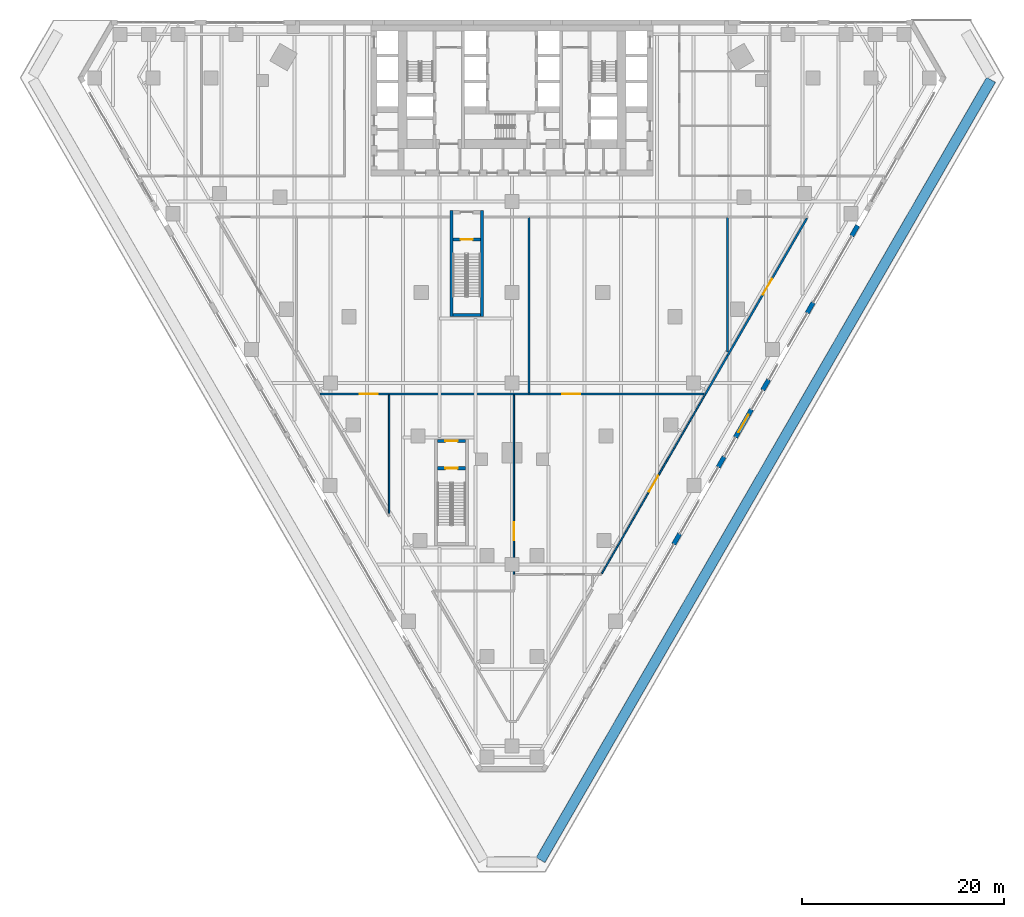
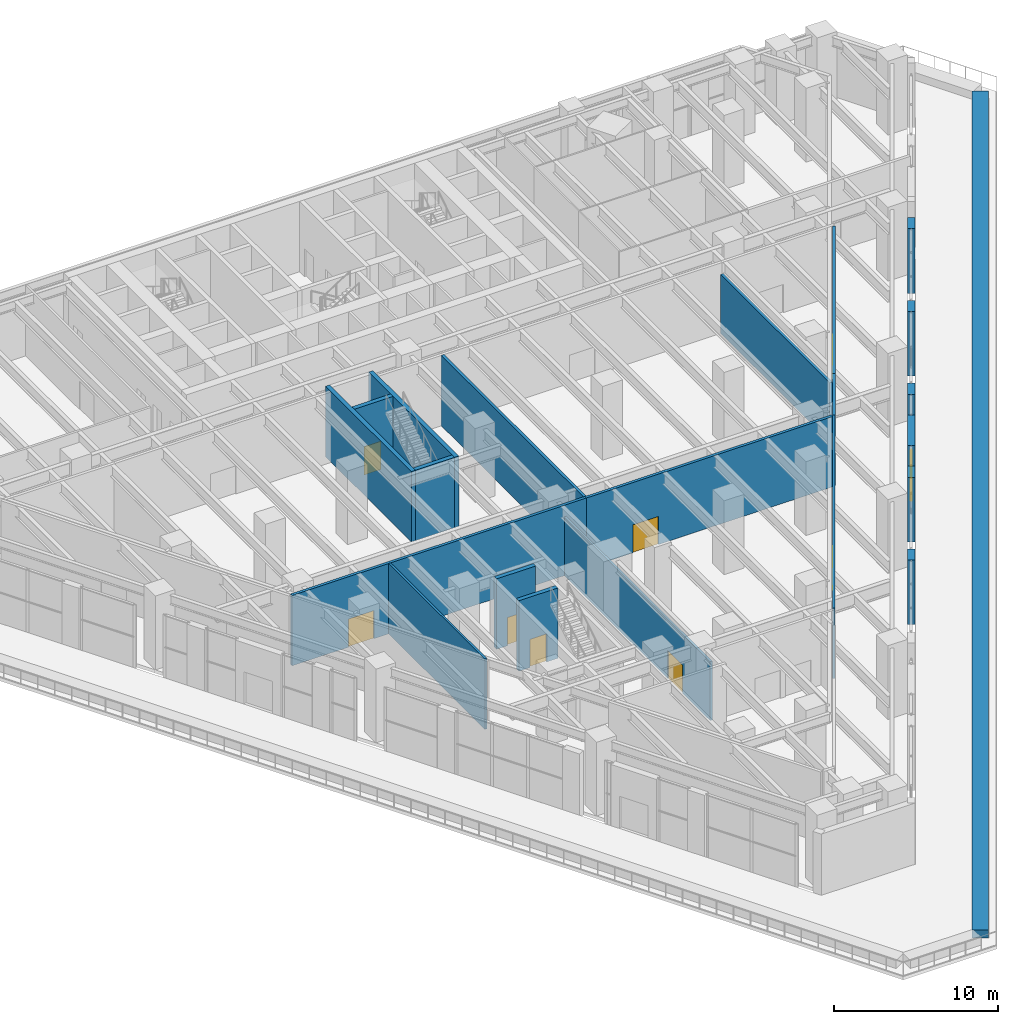
# One storey, part 21 of 30: 22 walls, 9 doors, 9 openings.
"""IFC4 building model written with IfcOpenShell, lengths in metres."""

from ifc_helpers import new_model, si_unit, direction, frame, frame_2d, origin, place, context, subcontext, project, spatial, rectangle, extrude, material, layer, layer_set, type_object, element, fill, save


model = new_model("IFC4")

# Units and contexts
model_context = context("Model", 3, precision=1e-05, world=origin(), true_north=direction((0.0, 1.0)))
body_context = subcontext(model_context, "Body", "Model", "MODEL_VIEW")
ifc_project = project(units=[si_unit("LENGTHUNIT", "METRE"), si_unit("AREAUNIT", "SQUARE_METRE"), si_unit("VOLUMEUNIT", "CUBIC_METRE"), si_unit("PLANEANGLEUNIT", "RADIAN"), si_unit("MASSUNIT", "GRAM", prefix="KILO")], contexts=[model_context])

# Site, building, storey
site_placement = place(None, origin())
site = spatial("IfcSite", under=ifc_project, at=site_placement, CompositionType="ELEMENT")
building_placement = place(site_placement, origin())
building = spatial("IfcBuilding", under=site, at=building_placement, Name="Aloe Facet Convention Tower", CompositionType="ELEMENT")
storey_placement = place(building_placement, frame((0.0, 0.0, 19.5)))
storey = spatial("IfcBuildingStorey", under=building, at=storey_placement, Name="L03", CompositionType="ELEMENT", Elevation=19.5)

# Wall, opening, door
ifc_material_1 = material(Name="Concrete C50/60", Category="concrete")
ifc_layer_1 = layer(ifc_material_1, 0.300048828125)
ifc_layer_set_1 = layer_set([ifc_layer_1], Name="CR-W-RC300-C5060")
wall_type_1 = type_object("IfcWallType", Name="CR-W-RC300-C5060", PredefinedType="SOLIDWALL", material=ifc_layer_set_1)
wall_1_placement = place(storey_placement, frame((72.625, 90.550048828125, 0.0), z_axis=(0.0, 0.0, 1.0), x_axis=(1.0, 0.0, 0.0)))
wall_1 = element("IfcWall", 1, at=wall_1_placement, inside=storey, type_object=wall_type_1, Name="Exit stair wall L03-04", PredefinedType="SOLIDWALL", context=body_context, shape_type="SweptSolid", body=[
    extrude(rectangle(XDim=2.75, YDim=0.300048828125, at=frame_2d((1.375, 0.0))), origin(), (0.0, 0.0, 1.0), 5.25),
])
opening_1_placement = place(wall_1_placement, frame((0.77490234375, 0.0, 0.0)))
opening_1 = element("IfcOpeningElement", 2, at=opening_1_placement, cuts=wall_1, Name="Opening L03-ST4-01", PredefinedType="OPENING", context=body_context, shape_type="SweptSolid", body=[
    extrude(rectangle(XDim=1.199951171875, YDim=2.10009765625, at=frame_2d((0.60009765625, 1.050048828125))), frame((0.0, 0.16015625, 0.0), z_axis=(0.0, -1.0, 0.0), x_axis=(1.0, 0.0, 0.0)), (0.0, 0.0, 1.0), 0.320068359375),
])
ifc_material_2 = material(Name="Steel fire-resisting door set FD120", Category="steel")
door_type_1 = type_object("IfcDoorType", Name="CR-D-STAIR-1200-FD120-SLEFT", OperationType="SINGLE_SWING_LEFT", PredefinedType="DOOR", material=ifc_material_2)
door_1_placement = place(opening_1_placement, origin())
door_1 = element("IfcDoor", 3, at=door_1_placement, inside=storey, type_object=door_type_1, Name="Stair door L03-ST4-01", OperationType="SINGLE_SWING_LEFT", OverallHeight=2.10009765625, OverallWidth=1.199951171875, PredefinedType="DOOR", context=body_context, shape_type="SweptSolid", body=[
    extrude(rectangle(XDim=1.199951171875, YDim=2.10009765625, at=frame_2d((0.60009765625, 1.050048828125))), frame((0.0, 0.02490234375, 0.0), z_axis=(0.0, -1.0, 0.0), x_axis=(1.0, 0.0, 0.0)), (0.0, 0.0, 1.0), 0.050048828125),
])
fill(opening_1, door_1)

wall_2_placement = place(storey_placement, frame((72.625, 93.25, 0.0), z_axis=(0.0, 0.0, 1.0), x_axis=(1.0, 0.0, 0.0)))
wall_2 = element("IfcWall", 4, at=wall_2_placement, inside=storey, type_object=wall_type_1, Name="Exit stair wall L03-05", PredefinedType="SOLIDWALL", context=body_context, shape_type="SweptSolid", body=[
    extrude(rectangle(XDim=2.75, YDim=0.300048828125, at=frame_2d((1.375, 0.0))), origin(), (0.0, 0.0, 1.0), 5.25),
])
opening_2_placement = place(wall_2_placement, frame((0.77490234375, 0.0, 0.0)))
opening_2 = element("IfcOpeningElement", 5, at=opening_2_placement, cuts=wall_2, Name="Opening L03-ST4-02", PredefinedType="OPENING", context=body_context, shape_type="SweptSolid", body=[
    extrude(rectangle(XDim=1.199951171875, YDim=2.10009765625, at=frame_2d((0.60009765625, 1.050048828125))), frame((0.0, 0.16015625, 0.0), z_axis=(0.0, -1.0, 0.0), x_axis=(1.0, 0.0, 0.0)), (0.0, 0.0, 1.0), 0.320068359375),
])
ifc_material_3 = material(Name="Steel fire-resisting door set FD60", Category="steel")
door_type_2 = type_object("IfcDoorType", Name="CR-D-EXIT-1200-FD60-SRIGHT", OperationType="SINGLE_SWING_RIGHT", PredefinedType="DOOR", material=ifc_material_3)
door_2_placement = place(opening_2_placement, origin())
door_2 = element("IfcDoor", 6, at=door_2_placement, inside=storey, type_object=door_type_2, Name="Stair lobby door L03-ST4-02", OperationType="SINGLE_SWING_RIGHT", OverallHeight=2.10009765625, OverallWidth=1.199951171875, PredefinedType="DOOR", context=body_context, shape_type="SweptSolid", body=[
    extrude(rectangle(XDim=1.199951171875, YDim=2.10009765625, at=frame_2d((0.60009765625, 1.050048828125))), frame((0.0, 0.02490234375, 0.0), z_axis=(0.0, -1.0, 0.0), x_axis=(1.0, 0.0, 0.0)), (0.0, 0.0, 1.0), 0.050048828125),
])
fill(opening_2, door_2)

# Walls
for number, where, z_axis, x_axis, name in (
    (7, (73.97509765625, 105.60009765625, 0.0), (0.0, 0.0, 1.0), (0.0, 1.0, 0.0), "Exit stair wall L03-06"),
    (8, (77.02490234375, 105.60009765625, 0.0), (0.0, 0.0, 1.0), (0.0, 1.0, 0.0), "Exit stair wall L03-07"),
):
    element("IfcWall", number, at=place(storey_placement, frame(where, z_axis=z_axis, x_axis=x_axis)), inside=storey, type_object=wall_type_1, Name=name, PredefinedType="SOLIDWALL", context=body_context, shape_type="SweptSolid", body=[
        extrude(rectangle(XDim=10.5, YDim=0.300048828125, at=frame_2d((5.25, 0.0))), origin(), (0.0, 0.0, 1.0), 5.25),
    ])
wall_3_placement = place(storey_placement, frame((74.125, 105.75, 0.0), z_axis=(0.0, 0.0, 1.0), x_axis=(1.0, 0.0, 0.0)))
element("IfcWall", 9, at=wall_3_placement, inside=storey, type_object=wall_type_1, Name="Exit stair wall L03-08", PredefinedType="SOLIDWALL", context=body_context, shape_type="SweptSolid", body=[
    extrude(rectangle(XDim=2.75, YDim=0.300048828125, at=frame_2d((1.375, 0.0))), origin(), (0.0, 0.0, 1.0), 5.25),
])

# Wall, opening, door
wall_4_placement = place(storey_placement, frame((74.125, 113.25, 0.0), z_axis=(0.0, 0.0, 1.0), x_axis=(1.0, 0.0, 0.0)))
wall_4 = element("IfcWall", 10, at=wall_4_placement, inside=storey, type_object=wall_type_1, Name="Exit stair wall L03-09", PredefinedType="SOLIDWALL", context=body_context, shape_type="SweptSolid", body=[
    extrude(rectangle(XDim=2.75, YDim=0.300048828125, at=frame_2d((1.375, 0.0))), origin(), (0.0, 0.0, 1.0), 5.25),
])
opening_3_placement = place(wall_4_placement, frame((0.77490234375, 0.0, 0.0)))
opening_3 = element("IfcOpeningElement", 11, at=opening_3_placement, cuts=wall_4, Name="Opening L03-ST5-01", PredefinedType="OPENING", context=body_context, shape_type="SweptSolid", body=[
    extrude(rectangle(XDim=1.199951171875, YDim=2.10009765625, at=frame_2d((0.60009765625, 1.050048828125))), frame((0.0, 0.16015625, 0.0), z_axis=(0.0, -1.0, 0.0), x_axis=(1.0, 0.0, 0.0)), (0.0, 0.0, 1.0), 0.320068359375),
])
door_3_placement = place(opening_3_placement, origin())
door_3 = element("IfcDoor", 12, at=door_3_placement, inside=storey, type_object=door_type_1, Name="Stair door L03-ST5-01", OperationType="SINGLE_SWING_LEFT", OverallHeight=2.10009765625, OverallWidth=1.199951171875, PredefinedType="DOOR", context=body_context, shape_type="SweptSolid", body=[
    extrude(rectangle(XDim=1.199951171875, YDim=2.10009765625, at=frame_2d((0.60009765625, 1.050048828125))), frame((0.0, 0.02490234375, 0.0), z_axis=(0.0, -1.0, 0.0), x_axis=(1.0, 0.0, 0.0)), (0.0, 0.0, 1.0), 0.050048828125),
])
fill(opening_3, door_3)

# Walls
ifc_material_4 = material(Name="Precast concrete C40/50", Category="concrete")
ifc_layer_2 = layer(ifc_material_4, 1.0)
ifc_layer_set_2 = layer_set([ifc_layer_2], Name="EV-PLANTER-BED")
wall_type_2 = type_object("IfcWallType", Name="EV-PLANTER-BED", PredefinedType="STANDARD", material=ifc_layer_set_2)
wall_5_placement = place(storey_placement, frame((127.528076171875, 129.09130859375, 0.0), z_axis=(0.0, 0.0, 1.0), x_axis=(-0.500001590908, -0.866024485271, 0.0)))
element("IfcWall", 13, at=wall_5_placement, inside=storey, type_object=wall_type_2, Name="PLANTER PT-L03-1-2", PredefinedType="STANDARD", context=body_context, shape_type="SweptSolid", body=[
    extrude(rectangle(XDim=89.387939453125, YDim=1.0, at=frame_2d((44.69384765625, 0.0))), origin(), (0.0, 0.0, 1.0), 0.60009765625),
])
ifc_material_5 = material(Name="Precast concrete C40/50", Category="concrete")
ifc_layer_3 = layer(ifc_material_5, 0.449951171875)
ifc_layer_set_3 = layer_set([ifc_layer_3], Name="EV-WALL-STONE")
wall_type_3 = type_object("IfcWallType", Name="EV-WALL-STONE", PredefinedType="SOLIDWALL", material=ifc_layer_set_3)
for number, where, z_axis, x_axis, name in (
    (14, (96.04541015625, 83.01171875, -0.25), (0.0, 0.0, 1.0), (0.499880961361, 0.866094119867, 0.0), "PW-L03-E07"),
    (15, (100.458740234375, 90.656005859375, -0.25), (0.0, 0.0, 1.0), (0.499880961361, 0.866094119867, 0.0), "PW-L03-E09"),
):
    element("IfcWall", number, at=place(storey_placement, frame(where, z_axis=z_axis, x_axis=x_axis)), inside=storey, type_object=wall_type_3, Name=name, PredefinedType="SOLIDWALL", context=body_context, shape_type="SweptSolid", body=[
        extrude(rectangle(XDim=1.199951171875, YDim=0.449951171875, at=frame_2d((0.60009765625, 0.0))), origin(), (0.0, 0.0, 1.0), 4.8125),
    ])

# Wall, opening, door
wall_6_placement = place(storey_placement, frame((102.165283203125, 93.612060546875, -0.25), z_axis=(0.0, 0.0, 1.0), x_axis=(0.500028443584, 0.866008981251, 0.0)))
wall_6 = element("IfcWall", 16, at=wall_6_placement, inside=storey, type_object=wall_type_3, Name="PW-L03-E10", PredefinedType="SOLIDWALL", context=body_context, shape_type="SweptSolid", body=[
    extrude(rectangle(XDim=3.199951171875, YDim=0.449951171875, at=frame_2d((1.60009765625, 0.0))), origin(), (0.0, 0.0, 1.0), 4.8125),
])
opening_4_placement = place(wall_6_placement, frame((0.60009765625, 0.0, 0.25)))
opening_4 = element("IfcOpeningElement", 17, at=opening_4_placement, cuts=wall_6, Name="Opening D-L03-E10", PredefinedType="OPENING", context=body_context, shape_type="SweptSolid", body=[
    extrude(rectangle(XDim=2.0, YDim=2.39990234375, at=frame_2d((1.0, 1.199951171875))), frame((0.0, 0.23486328125, 0.0), z_axis=(0.0, -1.0, 0.0), x_axis=(1.0, 0.0, 0.0)), (0.0, 0.0, 1.0), 0.469970703125),
])
ifc_material_6 = material(Name="Aluminium frame, clear double glazing", Category="aluminium")
door_type_3 = type_object("IfcDoorType", Name="EV-DOOR-HALL", OperationType="DOUBLE_DOOR_SINGLE_SWING", PredefinedType="DOOR", material=ifc_material_6)
door_4_placement = place(opening_4_placement, origin())
door_4 = element("IfcDoor", 18, at=door_4_placement, inside=storey, type_object=door_type_3, Name="D-L03-E10", OperationType="DOUBLE_DOOR_SINGLE_SWING", OverallHeight=2.39990234375, OverallWidth=2.0, PredefinedType="DOOR", context=body_context, shape_type="SweptSolid", body=[
    extrude(rectangle(XDim=2.0, YDim=2.39990234375, at=frame_2d((1.0, 1.199951171875))), frame((0.0, 0.02490234375, 0.0), z_axis=(0.0, -1.0, 0.0), x_axis=(1.0, 0.0, 0.0)), (0.0, 0.0, 1.0), 0.050048828125),
])
fill(opening_4, door_4)

# Walls
wall_7_placement = place(storey_placement, frame((104.8720703125, 98.30029296875, -0.25), z_axis=(0.0, 0.0, 1.0), x_axis=(0.500033551112, 0.866006032174, 0.0)))
element("IfcWall", 19, at=wall_7_placement, inside=storey, type_object=wall_type_3, Name="PW-L03-E11", PredefinedType="SOLIDWALL", context=body_context, shape_type="SweptSolid", body=[
    extrude(rectangle(XDim=1.2001953125, YDim=0.449951171875, at=frame_2d((0.60009765625, 0.0))), origin(), (0.0, 0.0, 1.0), 4.8125),
])
for number, where, z_axis, x_axis, name in (
    (20, (109.285400390625, 105.944580078125, -0.25), (0.0, 0.0, 1.0), (0.50012165622, 0.865955154139, 0.0), "PW-L03-E13"),
    (21, (113.698974609375, 113.588623046875, -0.25), (0.0, 0.0, 1.0), (0.499880961361, 0.866094119867, 0.0), "PW-L03-E15"),
):
    element("IfcWall", number, at=place(storey_placement, frame(where, z_axis=z_axis, x_axis=x_axis)), inside=storey, type_object=wall_type_3, Name=name, PredefinedType="SOLIDWALL", context=body_context, shape_type="SweptSolid", body=[
        extrude(rectangle(XDim=1.199951171875, YDim=0.449951171875, at=frame_2d((0.60009765625, 0.0))), origin(), (0.0, 0.0, 1.0), 4.8125),
    ])

# Wall, opening, door
ifc_material_7 = material(Name="Masonry blockwork wall, plastered", Category="masonry")
ifc_layer_4 = layer(ifc_material_7, 0.199951171875)
ifc_layer_set_4 = layer_set([ifc_layer_4], Name="IN-POD-W-ASSY")
wall_type_4 = type_object("IfcWallType", Name="IN-POD-W-ASSY", PredefinedType="PARTITIONING", material=ifc_layer_set_4)
wall_8_placement = place(storey_placement, frame((81.685546875, 97.919921875, 0.0), z_axis=(0.0, 0.0, 1.0), x_axis=(1.0, 0.0, 0.0)))
wall_8 = element("IfcWall", 22, at=wall_8_placement, inside=storey, type_object=wall_type_4, Name="Partition L03-W017", PredefinedType="PARTITIONING", context=body_context, shape_type="SweptSolid", body=[
    extrude(rectangle(XDim=17.385986328125, YDim=0.199951171875, at=frame_2d((8.69287109375, 0.0))), origin(), (0.0, 0.0, 1.0), 5.25),
])
opening_5_placement = place(wall_8_placement, frame((3.297119140625, 0.0, 0.0)))
opening_5 = element("IfcOpeningElement", 23, at=opening_5_placement, cuts=wall_8, Name="Opening L03-013", PredefinedType="OPENING", context=body_context, shape_type="SweptSolid", body=[
    extrude(rectangle(XDim=1.800048828125, YDim=2.10009765625, at=frame_2d((0.89990234375, 1.050048828125))), frame((0.0, 0.10986328125, 0.0), z_axis=(0.0, -1.0, 0.0), x_axis=(1.0, 0.0, 0.0)), (0.0, 0.0, 1.0), 0.219970703125),
])
ifc_material_8 = material(Name="Hardwood flush door pair", Category="wood")
door_type_4 = type_object("IfcDoorType", Name="IN-POD-D-PAIR", OperationType="DOUBLE_DOOR_SINGLE_SWING", PredefinedType="DOOR", material=ifc_material_8)
door_5_placement = place(opening_5_placement, origin())
door_5 = element("IfcDoor", 24, at=door_5_placement, inside=storey, type_object=door_type_4, Name="Door L03-013", OperationType="SINGLE_SWING_LEFT", OverallHeight=2.10009765625, OverallWidth=1.800048828125, PredefinedType="DOOR", context=body_context, shape_type="SweptSolid", body=[
    extrude(rectangle(XDim=1.800048828125, YDim=2.10009765625, at=frame_2d((0.89990234375, 1.050048828125))), frame((0.0, 0.02490234375, 0.0), z_axis=(0.0, -1.0, 0.0), x_axis=(1.0, 0.0, 0.0)), (0.0, 0.0, 1.0), 0.050048828125),
])
fill(opening_5, door_5)

# Wall
wall_9_placement = place(storey_placement, frame((81.685546875, 98.0048828125, 0.0), z_axis=(0.0, 0.0, 1.0), x_axis=(0.000574938204, 0.999999834723, 0.0)))
element("IfcWall", 25, at=wall_9_placement, inside=storey, type_object=wall_type_4, Name="Partition L03-W018", PredefinedType="PARTITIONING", context=body_context, shape_type="SweptSolid", body=[
    extrude(rectangle(XDim=17.41015625, YDim=0.199951171875, at=frame_2d((8.705078125, 0.0))), origin(), (0.0, 0.0, 1.0), 5.25),
])

# Wall, opening, door
wall_10_placement = place(storey_placement, frame((60.928466796875, 97.919921875, 0.0), z_axis=(0.0, 0.0, 1.0), x_axis=(1.0, 0.0, 0.0)))
wall_10 = element("IfcWall", 26, at=wall_10_placement, inside=storey, type_object=wall_type_4, Name="Partition L03-W019", PredefinedType="PARTITIONING", context=body_context, shape_type="SweptSolid", body=[
    extrude(rectangle(XDim=20.757080078125, YDim=0.199951171875, at=frame_2d((10.37841796875, 0.0))), origin(), (0.0, 0.0, 1.0), 5.25),
])
opening_6_placement = place(wall_10_placement, frame((3.971435546875, 0.0, 0.0)))
opening_6 = element("IfcOpeningElement", 27, at=opening_6_placement, cuts=wall_10, Name="Opening L03-011", PredefinedType="OPENING", context=body_context, shape_type="SweptSolid", body=[
    extrude(rectangle(XDim=1.800048828125, YDim=2.10009765625, at=frame_2d((0.89990234375, 1.050048828125))), frame((0.0, 0.10986328125, 0.0), z_axis=(0.0, -1.0, 0.0), x_axis=(1.0, 0.0, 0.0)), (0.0, 0.0, 1.0), 0.219970703125),
])
door_6_placement = place(opening_6_placement, origin())
door_6 = element("IfcDoor", 28, at=door_6_placement, inside=storey, type_object=door_type_4, Name="Door L03-011", OperationType="SINGLE_SWING_LEFT", OverallHeight=2.10009765625, OverallWidth=1.800048828125, PredefinedType="DOOR", context=body_context, shape_type="SweptSolid", body=[
    extrude(rectangle(XDim=1.800048828125, YDim=2.10009765625, at=frame_2d((0.89990234375, 1.050048828125))), frame((0.0, 0.02490234375, 0.0), z_axis=(0.0, -1.0, 0.0), x_axis=(1.0, 0.0, 0.0)), (0.0, 0.0, 1.0), 0.050048828125),
])
fill(opening_6, door_6)

# Walls
wall_11_placement = place(storey_placement, frame((99.196533203125, 97.919921875, 0.0), z_axis=(0.0, 0.0, 1.0), x_axis=(0.499994207481, 0.866028748071, 0.0)))
element("IfcWall", 29, at=wall_11_placement, inside=storey, type_object=wall_type_4, Name="Partition L03-W023", PredefinedType="PARTITIONING", context=body_context, shape_type="SweptSolid", body=[
    extrude(rectangle(XDim=4.40673828125, YDim=0.199951171875, at=frame_2d((2.203369140625, 0.0))), origin(), (0.0, 0.0, 1.0), 5.25),
])
wall_12_placement = place(storey_placement, frame((101.39990234375, 102.081298828125, 0.0), z_axis=(0.0, 0.0, 1.0), x_axis=(0.0, 1.0, 0.0)))
element("IfcWall", 30, at=wall_12_placement, inside=storey, type_object=wall_type_4, Name="Partition L03-W024", PredefinedType="PARTITIONING", context=body_context, shape_type="SweptSolid", body=[
    extrude(rectangle(XDim=13.333740234375, YDim=0.199951171875, at=frame_2d((6.6669921875, 0.0))), origin(), (0.0, 0.0, 1.0), 4.38916015625),
])

# Wall, opening, door
wall_13_placement = place(storey_placement, frame((101.39990234375, 101.736328125, 0.0), z_axis=(0.0, 0.0, 1.0), x_axis=(0.499996029325, 0.866027696242, 0.0)))
wall_13 = element("IfcWall", 31, at=wall_13_placement, inside=storey, type_object=wall_type_4, Name="Partition L03-W030", PredefinedType="PARTITIONING", context=body_context, shape_type="SweptSolid", body=[
    extrude(rectangle(XDim=15.733154296875, YDim=0.199951171875, at=frame_2d((7.86669921875, 0.0))), origin(), (0.0, 0.0, 1.0), 5.25),
])
opening_7_placement = place(wall_13_placement, frame((6.966552734375, 0.0, 0.0)))
opening_7 = element("IfcOpeningElement", 32, at=opening_7_placement, cuts=wall_13, Name="Opening L03-014", PredefinedType="OPENING", context=body_context, shape_type="SweptSolid", body=[
    extrude(rectangle(XDim=1.800048828125, YDim=2.10009765625, at=frame_2d((0.89990234375, 1.050048828125))), frame((0.0, 0.10986328125, 0.0), z_axis=(0.0, -1.0, 0.0), x_axis=(1.0, 0.0, 0.0)), (0.0, 0.0, 1.0), 0.219970703125),
])
door_7_placement = place(opening_7_placement, origin())
door_7 = element("IfcDoor", 33, at=door_7_placement, inside=storey, type_object=door_type_4, Name="Door L03-014", OperationType="SINGLE_SWING_LEFT", OverallHeight=2.10009765625, OverallWidth=1.800048828125, PredefinedType="DOOR", context=body_context, shape_type="SweptSolid", body=[
    extrude(rectangle(XDim=1.800048828125, YDim=2.10009765625, at=frame_2d((0.89990234375, 1.050048828125))), frame((0.0, 0.02490234375, 0.0), z_axis=(0.0, -1.0, 0.0), x_axis=(1.0, 0.0, 0.0)), (0.0, 0.0, 1.0), 0.050048828125),
])
fill(opening_7, door_7)

ifc_material_9 = material(Name="Gypsum board partition on steel studs, double layer", Category="steel")
ifc_layer_5 = layer(ifc_material_9, 0.14990234375)
ifc_layer_set_5 = layer_set([ifc_layer_5], Name="IN-POD-W-CORR")
wall_type_5 = type_object("IfcWallType", Name="IN-POD-W-CORR", PredefinedType="PARTITIONING", material=ifc_layer_set_5)
wall_14_placement = place(storey_placement, frame((80.195068359375, 80.0, 0.0), z_axis=(0.0, 0.0, 1.0), x_axis=(0.0, 1.0, 0.0)))
wall_14 = element("IfcWall", 34, at=wall_14_placement, inside=storey, type_object=wall_type_5, Name="Partition L03-W006", PredefinedType="PARTITIONING", context=body_context, shape_type="SweptSolid", body=[
    extrude(rectangle(XDim=17.8349609375, YDim=0.14990234375, at=frame_2d((8.91748046875, 0.0))), origin(), (0.0, 0.0, 1.0), 4.38916015625),
])
opening_8_placement = place(wall_14_placement, frame((3.386962890625, 0.0, 0.0)))
opening_8 = element("IfcOpeningElement", 35, at=opening_8_placement, cuts=wall_14, Name="Opening L03-019", PredefinedType="OPENING", context=body_context, shape_type="SweptSolid", body=[
    extrude(rectangle(XDim=1.800048828125, YDim=2.10009765625, at=frame_2d((0.89990234375, 1.050048828125))), frame((0.0, 0.0849609375, 0.0), z_axis=(0.0, -1.0, 0.0), x_axis=(1.0, 0.0, 0.0)), (0.0, 0.0, 1.0), 0.169921875),
])
door_8_placement = place(opening_8_placement, origin())
door_8 = element("IfcDoor", 36, at=door_8_placement, inside=storey, type_object=door_type_4, Name="Door L03-019", OperationType="SINGLE_SWING_LEFT", OverallHeight=2.10009765625, OverallWidth=1.800048828125, PredefinedType="DOOR", context=body_context, shape_type="SweptSolid", body=[
    extrude(rectangle(XDim=1.800048828125, YDim=2.10009765625, at=frame_2d((0.89990234375, 1.050048828125))), frame((0.0, 0.02490234375, 0.0), z_axis=(0.0, -1.0, 0.0), x_axis=(1.0, 0.0, 0.0)), (0.0, 0.0, 1.0), 0.050048828125),
])
fill(opening_8, door_8)

# Wall
wall_15_placement = place(storey_placement, frame((67.804931640625, 86.07275390625, 0.0), z_axis=(0.0, 0.0, 1.0), x_axis=(0.0, 1.0, 0.0)))
element("IfcWall", 37, at=wall_15_placement, inside=storey, type_object=wall_type_5, Name="Partition L03-W013", PredefinedType="PARTITIONING", context=body_context, shape_type="SweptSolid", body=[
    extrude(rectangle(XDim=11.76220703125, YDim=0.14990234375, at=frame_2d((5.881103515625, 0.0))), origin(), (0.0, 0.0, 1.0), 5.25),
])

# Wall, opening, door
wall_16_placement = place(storey_placement, frame((88.91552734375, 80.112548828125, 0.0), z_axis=(0.0, 0.0, 1.0), x_axis=(0.499996871816, 0.866027209835, 0.0)))
wall_16 = element("IfcWall", 38, at=wall_16_placement, inside=storey, type_object=wall_type_5, Name="Partition L03-W020", PredefinedType="PARTITIONING", context=body_context, shape_type="SweptSolid", body=[
    extrude(rectangle(XDim=20.562255859375, YDim=0.14990234375, at=frame_2d((10.28125, 0.0))), origin(), (0.0, 0.0, 1.0), 5.25),
])
opening_9_placement = place(wall_16_placement, frame((9.381103515625, 0.0, 0.0)))
opening_9 = element("IfcOpeningElement", 39, at=opening_9_placement, cuts=wall_16, Name="Opening L03-018", PredefinedType="OPENING", context=body_context, shape_type="SweptSolid", body=[
    extrude(rectangle(XDim=1.800048828125, YDim=2.10009765625, at=frame_2d((0.89990234375, 1.050048828125))), frame((0.0, 0.0849609375, 0.0), z_axis=(0.0, -1.0, 0.0), x_axis=(1.0, 0.0, 0.0)), (0.0, 0.0, 1.0), 0.169921875),
])
door_9_placement = place(opening_9_placement, origin())
door_9 = element("IfcDoor", 40, at=door_9_placement, inside=storey, type_object=door_type_4, Name="Door L03-018", OperationType="SINGLE_SWING_LEFT", OverallHeight=2.10009765625, OverallWidth=1.800048828125, PredefinedType="DOOR", context=body_context, shape_type="SweptSolid", body=[
    extrude(rectangle(XDim=1.800048828125, YDim=2.10009765625, at=frame_2d((0.89990234375, 1.050048828125))), frame((0.0, 0.02490234375, 0.0), z_axis=(0.0, -1.0, 0.0), x_axis=(1.0, 0.0, 0.0)), (0.0, 0.0, 1.0), 0.050048828125),
])
fill(opening_9, door_9)

save(model, "model.ifc")
